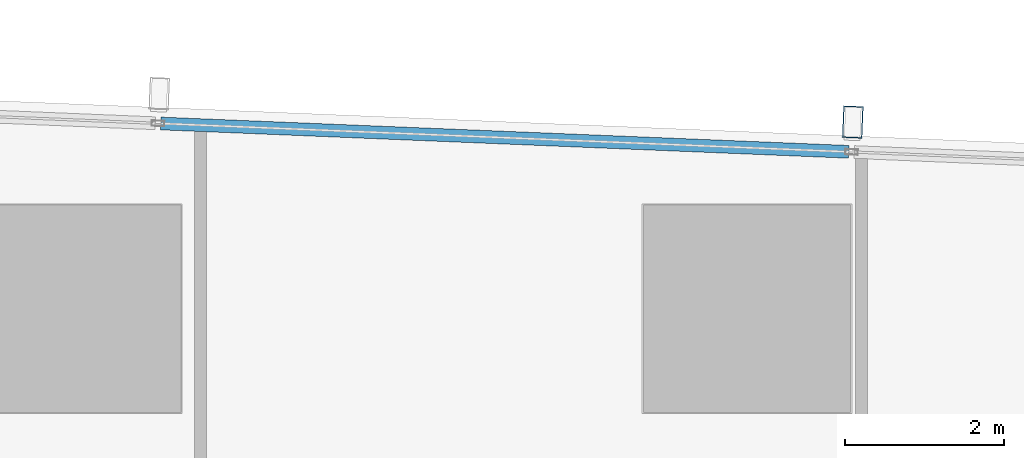
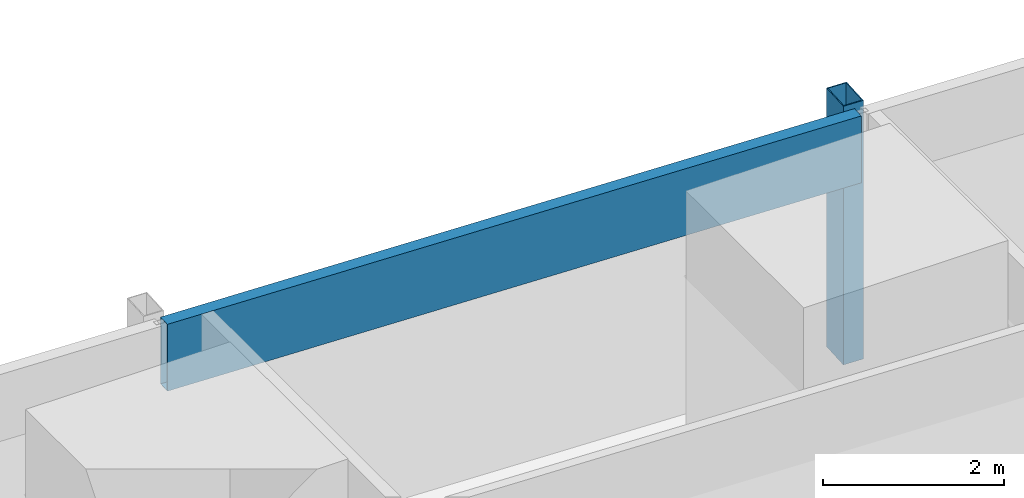
# One storey, part 24 of 46: 2 members, 1 element without a shape of its own.
"""IFC4 building model written with IfcOpenShell, lengths in metres."""

from ifc_helpers import new_model, si_unit, direction, frame, origin, origin_2d, place, context, subcontext, project, spatial, hollow_rectangle, extrude, material, material_profile, profile_set, type_object, element, aggregate, save


model = new_model("IFC4")

# Units and contexts
model_context = context("Model", 3, precision=1e-05, world=origin(), true_north=direction((0.0, 1.0)))
body_context = subcontext(model_context, "Body", "Model", "MODEL_VIEW")
ifc_project = project(units=[si_unit("LENGTHUNIT", "METRE"), si_unit("AREAUNIT", "SQUARE_METRE"), si_unit("VOLUMEUNIT", "CUBIC_METRE"), si_unit("PLANEANGLEUNIT", "RADIAN"), si_unit("MASSUNIT", "GRAM", prefix="KILO")], contexts=[model_context])

# Site, building, storey
site_placement = place(None, origin())
site = spatial("IfcSite", under=ifc_project, at=site_placement, CompositionType="ELEMENT")
building_placement = place(site_placement, origin())
building = spatial("IfcBuilding", under=site, at=building_placement, Name="Rekha Terrace Tower", CompositionType="ELEMENT")
storey_placement = place(building_placement, frame((0.0, 0.0, 29.14990234375)))
storey = spatial("IfcBuildingStorey", under=building, at=storey_placement, Name="L06", CompositionType="ELEMENT", Elevation=29.14990234375)

# Curtain wall, members
ifc_material_1 = material(Name="Aluminium framing", Category="aluminium")
curtain_wall_type = type_object("IfcCurtainWallType", Name="CW3 north unitised glazing", PredefinedType="USERDEFINED", material=ifc_material_1)
curtain_wall_placement = place(storey_placement, origin())
curtain_wall = element("IfcCurtainWall", 1, at=curtain_wall_placement, inside=storey, type_object=curtain_wall_type, Name="CW3 unitised curtain wall", ObjectType="UNITISED CURTAIN WALL", PredefinedType="USERDEFINED")
ifc_material_2 = material(Name="Steel S355 with fluorocarbon finish", Category="steel")
ifc_material_profile_1 = material_profile(ifc_material_2, hollow_rectangle(XDim=0.25, YDim=0.39990234375, WallThickness=0.012451171875, at=origin_2d()), Name="RHS400x250x12.5")
ifc_profile_set_1 = profile_set([ifc_material_profile_1], Name="Steel S355 with fluorocarbon finish")
member_type_1 = type_object("IfcMemberType", Name="BL1 facade blade RHS 400 x 250", PredefinedType="USERDEFINED", material=ifc_profile_set_1)
member_1_placement = place(storey_placement, frame((60.126953125, 61.140869140625, 0.02001953125), z_axis=(0.0, 0.0, 1.0), x_axis=(-0.99915196507, 0.041174636562, 0.0)))
member_1 = element("IfcMember", 2, at=member_1_placement, type_object=member_type_1, Name="Facade blade", ObjectType="FACADE BLADE", PredefinedType="USERDEFINED", context=body_context, shape_type="SweptSolid", body=[
    extrude(hollow_rectangle(XDim=0.25, YDim=0.39990234375, WallThickness=0.012451171875, at=origin_2d()), origin(), (0.0, 0.0, 1.0), 3.47998046875),
])
ifc_material_3 = material(Name="Insulated aluminium spandrel box", Category="aluminium")
ifc_material_profile_2 = material_profile(ifc_material_3, hollow_rectangle(XDim=0.159912109375, YDim=0.89990234375, WallThickness=0.0029296875, at=origin_2d()), Name="AL SPANDREL BOX 160x900")
ifc_profile_set_2 = profile_set([ifc_material_profile_2], Name="Insulated aluminium spandrel box")
member_type_2 = type_object("IfcMemberType", Name="CW3 spandrel transom 160 x 900", PredefinedType="USERDEFINED", material=ifc_profile_set_2)
member_2_placement = place(storey_placement, frame((60.07666015625, 60.767578125, 3.050048828125), z_axis=(-0.999152128669, 0.041170666459, 0.0), x_axis=(-0.041170666459, -0.999152128669, 0.0)))
member_2 = element("IfcMember", 3, at=member_2_placement, type_object=member_type_2, Name="CW3 spandrel transom 2", ObjectType="TRANSOM", PredefinedType="USERDEFINED", context=body_context, shape_type="SweptSolid", body=[
    extrude(hollow_rectangle(XDim=0.159912109375, YDim=0.89990234375, WallThickness=0.0029296875, at=origin_2d()), origin(), (0.0, 0.0, 1.0), 8.634033203125),
])
aggregate(curtain_wall, [member_2, member_1])

save(model, "model.ifc")
